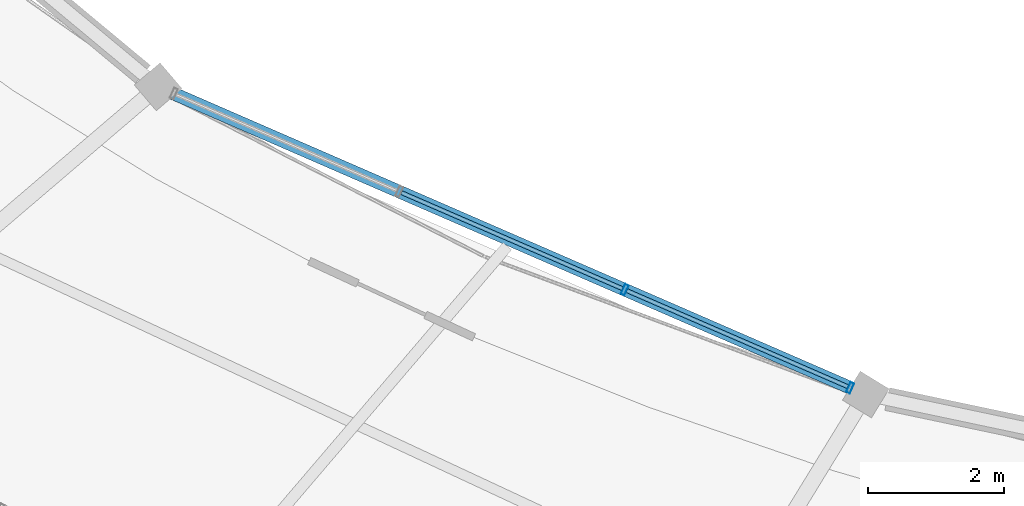
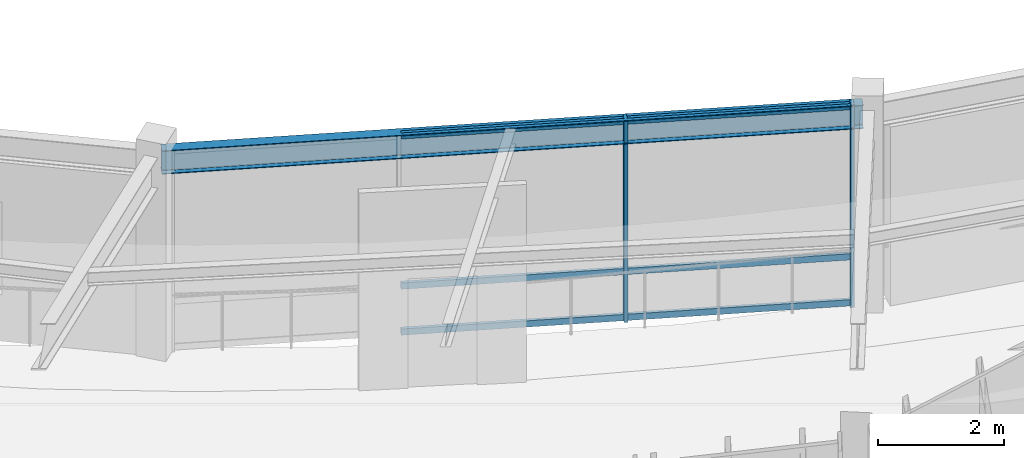
# One storey, part 7 of 78: 8 members, 1 beam, 1 element without a shape of its own.
"""IFC4 building model written with IfcOpenShell, lengths in metres."""

from ifc_helpers import new_model, si_unit, direction, frame, origin, origin_2d, place, context, subcontext, project, spatial, hollow_rectangle, i_section, extrude, material, material_profile, profile_set, type_object, element, aggregate, save


model = new_model("IFC4")

# Units and contexts
model_context = context("Model", 3, precision=1e-05, world=origin(), true_north=direction((0.0, 1.0)))
body_context = subcontext(model_context, "Body", "Model", "MODEL_VIEW")
ifc_project = project(units=[si_unit("LENGTHUNIT", "METRE"), si_unit("AREAUNIT", "SQUARE_METRE"), si_unit("VOLUMEUNIT", "CUBIC_METRE"), si_unit("PLANEANGLEUNIT", "RADIAN"), si_unit("MASSUNIT", "GRAM", prefix="KILO"), si_unit("THERMODYNAMICTEMPERATUREUNIT", "KELVIN"), si_unit("POWERUNIT", "WATT")], contexts=[model_context])

# Site, building, storey
site_placement = place(None, origin())
site = spatial("IfcSite", under=ifc_project, at=site_placement, CompositionType="ELEMENT")
building_placement = place(site_placement, origin())
building = spatial("IfcBuilding", under=site, at=building_placement, Name="Darbajah Civic Hall", CompositionType="ELEMENT")
storey_placement = place(building_placement, frame((0.0, 0.0, 26.39990234375)))
storey = spatial("IfcBuildingStorey", under=building, at=storey_placement, Name="L06", CompositionType="ELEMENT", Elevation=26.39990234375)

# Curtain wall, members
ifc_material_1 = material(Name="Anodised Bronze Aluminium and Low-E Glazing", Category="aluminium")
curtain_wall_type = type_object("IfcCurtainWallType", Name="Unitised Curtain Wall CW-63 10900x3900", PredefinedType="USERDEFINED", material=ifc_material_1)
curtain_wall_placement = place(storey_placement, origin())
curtain_wall = element("IfcCurtainWall", 1, at=curtain_wall_placement, inside=storey, type_object=curtain_wall_type, Name="L06 unitised curtain wall CW-V1I-L06-12", ObjectType="UNITISED CURTAIN WALL", PredefinedType="USERDEFINED")
ifc_material_2 = material(Name="Anodised Bronze Aluminium", Category="aluminium")
ifc_material_profile_1 = material_profile(ifc_material_2, hollow_rectangle(XDim=0.06005859375, YDim=0.159912109375, WallThickness=0.00341796875, at=origin_2d()), Name="ALU MULLION 60x160")
ifc_profile_set_1 = profile_set([ifc_material_profile_1], Name="Anodised Bronze Aluminium")
member_type_1 = type_object("IfcMemberType", Name="ALU MULLION 60x160", PredefinedType="MULLION", material=ifc_profile_set_1)
member_1_placement = place(storey_placement, frame((62.6640625, 72.330078125, 0.0), z_axis=(0.0, 0.0, 1.0), x_axis=(0.917060074385, -0.398749068925, 0.0)))
member_1 = element("IfcMember", 2, at=member_1_placement, type_object=member_type_1, Name="CW-V1I-L06-12 mullion 3", PredefinedType="MULLION", context=body_context, shape_type="SweptSolid", body=[
    extrude(hollow_rectangle(XDim=0.06005859375, YDim=0.159912109375, WallThickness=0.00341796875, at=origin_2d()), origin(), (0.0, 0.0, 1.0), 3.920166015625),
])
member_2_placement = place(storey_placement, frame((65.9833984375, 70.88671875, 0.0), z_axis=(0.0, 0.0, 1.0), x_axis=(0.917060074385, -0.398749068925, 0.0)))
member_2 = element("IfcMember", 3, at=member_2_placement, type_object=member_type_1, Name="CW-V1I-L06-12 mullion 4", PredefinedType="MULLION", context=body_context, shape_type="SweptSolid", body=[
    extrude(hollow_rectangle(XDim=0.06005859375, YDim=0.159912109375, WallThickness=0.00341796875, at=origin_2d()), origin(), (0.0, 0.0, 1.0), 3.920166015625),
])
ifc_material_profile_2 = material_profile(ifc_material_2, hollow_rectangle(XDim=0.06005859375, YDim=0.1201171875, WallThickness=0.003173828125, at=origin_2d()), Name="ALU TRANSOM 60x120")
ifc_profile_set_2 = profile_set([ifc_material_profile_2], Name="Anodised Bronze Aluminium")
member_type_2 = type_object("IfcMemberType", Name="ALU TRANSOM 60x120", PredefinedType="USERDEFINED", material=ifc_profile_set_2)
member_3_placement = place(storey_placement, frame((59.376708984375, 73.759521484375, 0.06005859375), z_axis=(0.917054747798, -0.398761319014, 0.0), x_axis=(0.398761319014, 0.917054747798, 0.0)))
member_3 = element("IfcMember", 4, at=member_3_placement, type_object=member_type_2, Name="CW-V1I-L06-12 transom 2.1", ObjectType="TRANSOM", PredefinedType="USERDEFINED", context=body_context, shape_type="SweptSolid", body=[
    extrude(hollow_rectangle(XDim=0.06005859375, YDim=0.1201171875, WallThickness=0.003173828125, at=origin_2d()), origin(), (0.0, 0.0, 1.0), 3.5498046875),
])
member_4_placement = place(storey_placement, frame((59.376708984375, 73.759521484375, 0.9501953125), z_axis=(0.917054747798, -0.398761319014, 0.0), x_axis=(0.398761319014, 0.917054747798, 0.0)))
member_4 = element("IfcMember", 5, at=member_4_placement, type_object=member_type_2, Name="CW-V1I-L06-12 transom 2.2", ObjectType="TRANSOM", PredefinedType="USERDEFINED", context=body_context, shape_type="SweptSolid", body=[
    extrude(hollow_rectangle(XDim=0.06005859375, YDim=0.1201171875, WallThickness=0.003173828125, at=origin_2d()), origin(), (0.0, 0.0, 1.0), 3.5498046875),
])
member_5_placement = place(storey_placement, frame((59.376708984375, 73.759521484375, 3.860107421875), z_axis=(0.917054747798, -0.398761319014, 0.0), x_axis=(0.398761319014, 0.917054747798, 0.0)))
member_5 = element("IfcMember", 6, at=member_5_placement, type_object=member_type_2, Name="CW-V1I-L06-12 transom 2.3", ObjectType="TRANSOM", PredefinedType="USERDEFINED", context=body_context, shape_type="SweptSolid", body=[
    extrude(hollow_rectangle(XDim=0.06005859375, YDim=0.1201171875, WallThickness=0.003173828125, at=origin_2d()), origin(), (0.0, 0.0, 1.0), 3.5498046875),
])
member_6_placement = place(storey_placement, frame((62.6962890625, 72.31591796875, 0.06005859375), z_axis=(0.917068962738, -0.39872862649, 0.0), x_axis=(0.39872862649, 0.917068962738, 0.0)))
member_6 = element("IfcMember", 7, at=member_6_placement, type_object=member_type_2, Name="CW-V1I-L06-12 transom 3.1", ObjectType="TRANSOM", PredefinedType="USERDEFINED", context=body_context, shape_type="SweptSolid", body=[
    extrude(hollow_rectangle(XDim=0.06005859375, YDim=0.1201171875, WallThickness=0.003173828125, at=origin_2d()), origin(), (0.0, 0.0, 1.0), 3.549560546875),
])
member_7_placement = place(storey_placement, frame((62.6962890625, 72.31591796875, 0.9501953125), z_axis=(0.917068962738, -0.39872862649, 0.0), x_axis=(0.39872862649, 0.917068962738, 0.0)))
member_7 = element("IfcMember", 8, at=member_7_placement, type_object=member_type_2, Name="CW-V1I-L06-12 transom 3.2", ObjectType="TRANSOM", PredefinedType="USERDEFINED", context=body_context, shape_type="SweptSolid", body=[
    extrude(hollow_rectangle(XDim=0.06005859375, YDim=0.1201171875, WallThickness=0.003173828125, at=origin_2d()), origin(), (0.0, 0.0, 1.0), 3.549560546875),
])
member_8_placement = place(storey_placement, frame((62.6962890625, 72.31591796875, 3.860107421875), z_axis=(0.917068962738, -0.39872862649, 0.0), x_axis=(0.39872862649, 0.917068962738, 0.0)))
member_8 = element("IfcMember", 9, at=member_8_placement, type_object=member_type_2, Name="CW-V1I-L06-12 transom 3.3", ObjectType="TRANSOM", PredefinedType="USERDEFINED", context=body_context, shape_type="SweptSolid", body=[
    extrude(hollow_rectangle(XDim=0.06005859375, YDim=0.1201171875, WallThickness=0.003173828125, at=origin_2d()), origin(), (0.0, 0.0, 1.0), 3.549560546875),
])
aggregate(curtain_wall, [member_1, member_2, member_3, member_4, member_5, member_6, member_7, member_8])

# Beam
ifc_material_3 = material(Name="Steel S355JR", Category="steel")
ifc_material_profile_3 = material_profile(ifc_material_3, i_section(OverallWidth=0.1904296875, OverallDepth=0.45703125, WebThickness=0.009033203125, FlangeThickness=0.014404296875, FilletRadius=0.01025390625, at=origin_2d()), Name="UB 457x191x74")
ifc_profile_set_3 = profile_set([ifc_material_profile_3], Name="Steel S355JR")
beam_type = type_object("IfcBeamType", Name="UB 457x191x74", PredefinedType="BEAM", material=ifc_profile_set_3)
beam_placement = place(storey_placement, frame((55.86767578125, 75.285400390625, 3.691650390625), z_axis=(0.917051345793, -0.398769142712, 0.0), x_axis=(0.398769142712, 0.917051345793, 0.0)))
element("IfcBeam", 10, at=beam_placement, inside=storey, type_object=beam_type, Name="L06 beam SB-457", PredefinedType="BEAM", context=body_context, shape_type="SweptSolid", body=[
    extrude(i_section(OverallWidth=0.1904296875, OverallDepth=0.45703125, WebThickness=0.009033203125, FlangeThickness=0.014404296875, FilletRadius=0.01025390625, at=origin_2d()), origin(), (0.0, 0.0, 1.0), 11.20263671875),
])

save(model, "model.ifc")
